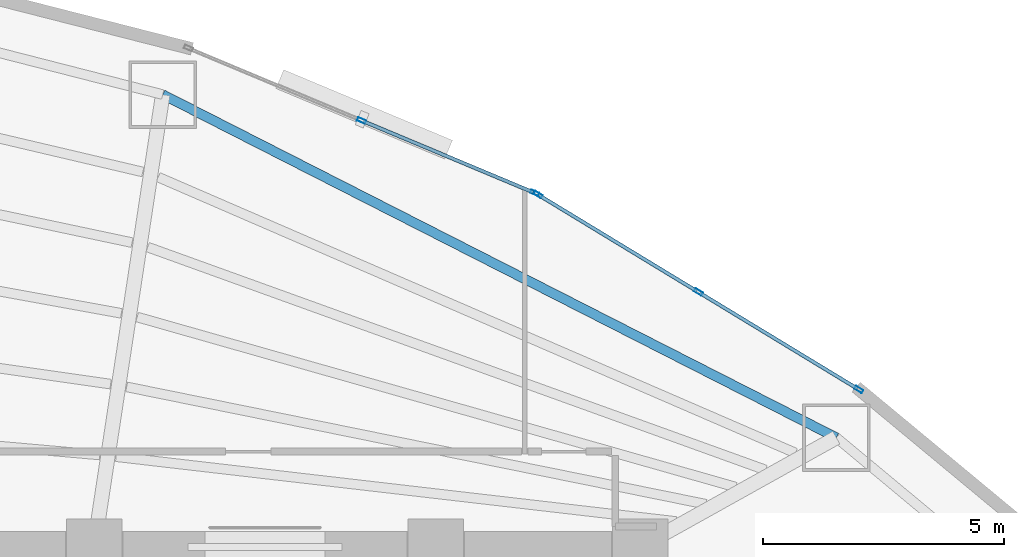
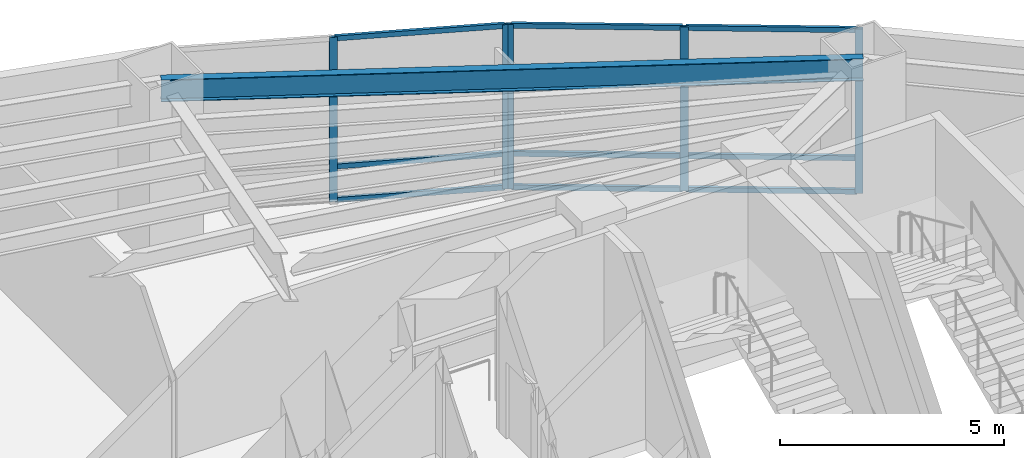
# One storey, part 10 of 18: 14 members, 1 beam, 2 elements without a shape of their own.
"""IFC4 building model written with IfcOpenShell, lengths in metres."""

import ifcopenshell
import ifcopenshell.guid

model = None  # the IFC model being written
_history = None  # IfcOwnerHistory: only IFC2X3 demands one
_inside = {}  # id of a spatial element -> (the spatial element, [elements in it])
_under = {}  # id of a project, library or spatial element -> (it, [spatial elements below it])
_declared = {}  # id of a project -> (the project, [libraries it declares])
_typed = {}  # id of a type object -> (the type object, [elements of that type])
_made_of = {}  # id of a material, layer set ... -> (it, [elements and type objects made of it])


def new_model(schema):
    """Start an empty IFC model of exactly this schema.

    Asked for "IFC4X3", IfcOpenShell would pick the latest addendum, in which some entities
    have other attributes; the version numbers below select the first issue.
    IFC2X3 requires an IfcOwnerHistory on every rooted entity: one is made here for all.
    """
    global model, _history
    if schema == "IFC4X3":
        model = ifcopenshell.file(schema_version=(4, 3, 0, 0))
    else:
        model = ifcopenshell.file(schema=schema)
    _inside.clear()
    _under.clear()
    _declared.clear()
    _typed.clear()
    _made_of.clear()
    _history = None
    if model.schema == "IFC2X3":
        org = make("IfcOrganization", Name="unknown")
        user = make(
            "IfcPersonAndOrganization",
            ThePerson=make("IfcPerson", FamilyName="unknown"),
            TheOrganization=org,
        )
        app = make(
            "IfcApplication",
            ApplicationDeveloper=org,
            Version="unknown",
            ApplicationFullName="unknown",
            ApplicationIdentifier="unknown",
        )
        _history = make(
            "IfcOwnerHistory",
            OwningUser=user,
            OwningApplication=app,
            ChangeAction="ADDED",
            CreationDate=0,
        )
    return model


def make(cls, **values):
    """One entity of the class cls with the attributes given. An attribute that is None is left unset."""
    return model.create_entity(
        cls, **{name: value for name, value in values.items() if value is not None}
    )


def rooted(cls, **values):
    """An entity with a GlobalId (a new one), such as an element, a storey or a relation."""
    return make(cls, GlobalId=ifcopenshell.guid.new(), OwnerHistory=_history, **values)


def si_unit(unit_type, name, prefix=None):
    """IfcSIUnit, for example si_unit("LENGTHUNIT", "METRE", prefix="MILLI")."""
    return make("IfcSIUnit", UnitType=unit_type, Prefix=prefix, Name=name)


def assignment(units):
    """IfcUnitAssignment: the units of a project."""
    return None if units is None else make("IfcUnitAssignment", Units=units)


def point(xyz):
    """IfcCartesianPoint."""
    return None if xyz is None else make("IfcCartesianPoint", Coordinates=xyz)


def direction(xyz):
    """IfcDirection."""
    return None if xyz is None else make("IfcDirection", DirectionRatios=xyz)


def frame(location, z_axis=None, x_axis=None):
    """IfcAxis2Placement3D, a coordinate frame: its origin and axes. An axis left out is left unset."""
    return make(
        "IfcAxis2Placement3D",
        Location=point(location),
        Axis=direction(z_axis),
        RefDirection=direction(x_axis),
    )


def frame_2d(location, x_axis=None):
    """IfcAxis2Placement2D, a coordinate frame in the plane: its origin and x axis."""
    return make(
        "IfcAxis2Placement2D", Location=point(location), RefDirection=direction(x_axis)
    )


def origin():
    """The frame at (0, 0, 0) with its axes left unset."""
    return frame((0.0, 0.0, 0.0))


def origin_2d():
    """The frame at (0, 0) in the plane with its x axis left unset."""
    return frame_2d((0.0, 0.0))


def place(relative_to, where):
    """IfcLocalPlacement: puts the frame where relative to a parent placement (None: the world)."""
    return make(
        "IfcLocalPlacement", PlacementRelTo=relative_to, RelativePlacement=where
    )


def context(
    kind, dimensions, precision=None, world=None, true_north=None, identifier=None
):
    """IfcGeometricRepresentationContext, for example the 3D "Model" context."""
    return make(
        "IfcGeometricRepresentationContext",
        ContextIdentifier=identifier,
        ContextType=kind,
        CoordinateSpaceDimension=dimensions,
        Precision=precision,
        WorldCoordinateSystem=world,
        TrueNorth=true_north,
    )


def subcontext(parent, identifier, kind, view, scale=None):
    """IfcGeometricRepresentationSubContext, for example "Body" below "Model"."""
    return make(
        "IfcGeometricRepresentationSubContext",
        ContextIdentifier=identifier,
        ContextType=kind,
        ParentContext=parent,
        TargetScale=scale,
        TargetView=view,
    )


def project(units=None, contexts=None):
    """IfcProject with its units and contexts."""
    return rooted(
        "IfcProject",
        Name="project",
        RepresentationContexts=contexts,
        UnitsInContext=assignment(units),
    )


def spatial(cls, under=None, at=None, **own):
    """A site, building, storey or space (cls), placed at a placement, below another one or the project."""
    s = rooted(cls, ObjectPlacement=at, **own)
    if under is not None:
        _under.setdefault(under.id(), (under, []))[1].append(s)
    return s


def profile(cls, at=None, kind="AREA", **sizes):
    """A parametric profile (cls). Its sizes go by their IFC names, for example OverallWidth=200.0."""
    return make(cls, ProfileType=kind, Position=at, **sizes)


def hollow_rectangle(**sizes):
    """IfcRectangleHollowProfileDef."""
    return profile("IfcRectangleHollowProfileDef", **sizes)


def i_section(**sizes):
    """IfcIShapeProfileDef."""
    return profile("IfcIShapeProfileDef", **sizes)


def extrude(swept, where, along, depth):
    """IfcExtrudedAreaSolid: the profile swept, set in the frame where, extruded along a direction by depth."""
    return make(
        "IfcExtrudedAreaSolid",
        SweptArea=swept,
        Position=where,
        ExtrudedDirection=direction(along),
        Depth=depth,
    )


def shape(context_of_items, identifier, shape_type, items):
    """IfcShapeRepresentation: the items that make up one representation, for example the "Body"."""
    return make(
        "IfcShapeRepresentation",
        ContextOfItems=context_of_items,
        RepresentationIdentifier=identifier,
        RepresentationType=shape_type,
        Items=items,
    )


def material(Name=None, Category=None):
    """IfcMaterial."""
    return make("IfcMaterial", Name=Name, Category=Category)


def layer(
    of_material, thickness, ventilated=None, Name=None, Category=None, Priority=None
):
    """IfcMaterialLayer: one layer of a wall or slab, of a material (None: an air gap)."""
    return make(
        "IfcMaterialLayer",
        Material=of_material,
        LayerThickness=thickness,
        IsVentilated=ventilated,
        Name=Name,
        Category=Category,
        Priority=Priority,
    )


def layer_set(layers, Name=None):
    """IfcMaterialLayerSet."""
    return make("IfcMaterialLayerSet", MaterialLayers=layers, LayerSetName=Name)


def material_profile(
    of_material, cross_section, Name=None, Category=None, Priority=None
):
    """IfcMaterialProfile: a cross section and its material."""
    return make(
        "IfcMaterialProfile",
        Name=Name,
        Material=of_material,
        Profile=cross_section,
        Priority=Priority,
        Category=Category,
    )


def profile_set(profiles, Name=None, composite=None):
    """IfcMaterialProfileSet."""
    return make(
        "IfcMaterialProfileSet",
        Name=Name,
        MaterialProfiles=profiles,
        CompositeProfile=composite,
    )


def made_of(thing, what):
    """Note that an element or type object is made of a material, layer set ...; save() writes the relation."""
    if what is not None:
        _made_of.setdefault(what.id(), (what, []))[1].append(thing)
    return thing


def type_object(cls, material=None, **own):
    """A type object (cls), such as IfcWallType, which elements share."""
    return made_of(rooted(cls, **own), material)


def element(
    cls,
    number,
    at=None,
    inside=None,
    cuts=None,
    type_object=None,
    material=None,
    context=None,
    identifier="Body",
    shape_type=None,
    held_by="IfcProductDefinitionShape",
    body=None,
    shapes=None,
    **own,
):
    """One element of the class cls, such as IfcWall. Its Tag is "e" and its number.

    at: its placement. inside: the storey or other place that contains it. cuts: it is an
    opening in that element (IfcRelVoidsElement). A single representation is given by context,
    identifier, shape_type and body (its items); several are given by shapes. held_by: the class
    of the entity that holds the representations. save() writes the other relations.
    """
    e = rooted(cls, Tag="e%d" % number, ObjectPlacement=at, **own)
    if body is not None:
        shapes = [shape(context, identifier, shape_type, body)]
    if shapes is not None:
        e.Representation = make(held_by, Representations=shapes)
    if inside is not None:
        _inside.setdefault(inside.id(), (inside, []))[1].append(e)
    if cuts is not None:
        rooted(
            "IfcRelVoidsElement", RelatingBuildingElement=cuts, RelatedOpeningElement=e
        )
    if type_object is not None:
        _typed.setdefault(type_object.id(), (type_object, []))[1].append(e)
    return made_of(e, material)


def aggregate(whole, parts):
    """IfcRelAggregates: a whole, such as a stair, and the parts it consists of."""
    return rooted("IfcRelAggregates", RelatingObject=whole, RelatedObjects=parts)


def save(model, path):
    """Write the relations noted so far, then the file.

    IfcRelAggregates (storeys below a building ...), IfcRelContainedInSpatialStructure (elements
    in a storey), IfcRelDefinesByType, IfcRelAssociatesMaterial and IfcRelDeclares: one each for
    every whole, place, type object, material and project.
    """
    for whole, parts in _under.values():
        aggregate(whole, parts)
    for where, things in _inside.values():
        rooted(
            "IfcRelContainedInSpatialStructure",
            RelatedElements=things,
            RelatingStructure=where,
        )
    for kind, things in _typed.values():
        rooted("IfcRelDefinesByType", RelatedObjects=things, RelatingType=kind)
    for what, things in _made_of.values():
        rooted("IfcRelAssociatesMaterial", RelatedObjects=things, RelatingMaterial=what)
    for by, libraries in _declared.values():
        rooted("IfcRelDeclares", RelatingContext=by, RelatedDefinitions=libraries)
    model.write(path)


model = new_model("IFC4")

# Units and contexts
model_context = context("Model", 3, precision=1e-05, world=origin(), true_north=direction((0.0, 1.0)))
body_context = subcontext(model_context, "Body", "Model", "MODEL_VIEW")
ifc_project = project(units=[si_unit("LENGTHUNIT", "METRE"), si_unit("AREAUNIT", "SQUARE_METRE"), si_unit("VOLUMEUNIT", "CUBIC_METRE"), si_unit("PLANEANGLEUNIT", "RADIAN"), si_unit("MASSUNIT", "GRAM", prefix="KILO")], contexts=[model_context])

# Site, building, storey
site_placement = place(None, origin())
site = spatial("IfcSite", under=ifc_project, at=site_placement, CompositionType="ELEMENT")
building_placement = place(site_placement, origin())
building = spatial("IfcBuilding", under=site, at=building_placement, Name="Menara Vayukalpa", CompositionType="ELEMENT")
storey_placement = place(building_placement, frame((0.0, 0.0, 18.0)))
storey = spatial("IfcBuildingStorey", under=building, at=storey_placement, Name="L03", CompositionType="ELEMENT", Elevation=18.0)

# Beam
ifc_material_1 = material(Name="Steel S355", Category="steel")
ifc_material_profile_1 = material_profile(ifc_material_1, i_section(OverallWidth=0.199951171875, OverallDepth=0.60009765625, WebThickness=0.010986328125, FlangeThickness=0.01708984375, at=origin_2d()), Name="WF 600x200x11x17")
ifc_profile_set_1 = profile_set([ifc_material_profile_1], Name="Steel S355")
beam_type = type_object("IfcBeamType", Name="BM-SP1", PredefinedType="SPANDREL", material=ifc_profile_set_1)
beam_placement = place(storey_placement, frame((37.47412109375, 29.07080078125, 4.179931640625), z_axis=(-0.891101872915, 0.453803318726, 0.0), x_axis=(-0.453803318726, -0.891101872915, 0.0)))
element("IfcBeam", 1, at=beam_placement, inside=storey, type_object=beam_type, Name="L03 Perimeter Spandrel Beam SP02", PredefinedType="SPANDREL", context=body_context, shape_type="SweptSolid", body=[
    extrude(i_section(OverallWidth=0.199951171875, OverallDepth=0.60009765625, WebThickness=0.010986328125, FlangeThickness=0.01708984375, at=origin_2d()), origin(), (0.0, 0.0, 1.0), 15.709228515625),
])

# Curtain wall, members
ifc_material_2 = material(Name="Anodised Terracotta Aluminium Alloy 6063-T6", Category="masonry")
ifc_layer = layer(ifc_material_2, 0.179931640625)
ifc_layer_set = layer_set([ifc_layer], Name="Anodised Terracotta Aluminium Alloy 6063-T6")
curtain_wall_type = type_object("IfcCurtainWallType", Name="CW-CW1", PredefinedType="USERDEFINED", material=ifc_layer_set)
curtain_wall_1_placement = place(storey_placement, origin())
curtain_wall_1 = element("IfcCurtainWall", 2, at=curtain_wall_1_placement, inside=storey, type_object=curtain_wall_type, Name="L03 Podium Unitised Ribbon Curtain Wall CW1 04", ObjectType="UNITISED", PredefinedType="USERDEFINED")
ifc_material_3 = material(Name="Anodised Terracotta Aluminium Alloy 6063-T6", Category="masonry")
ifc_material_profile_2 = material_profile(ifc_material_3, hollow_rectangle(XDim=0.074951171875, YDim=0.179931640625, WallThickness=0.00390625, at=origin_2d()), Name="ALU 75x180x4")
ifc_profile_set_2 = profile_set([ifc_material_profile_2], Name="Anodised Terracotta Aluminium Alloy 6063-T6")
member_type_1 = type_object("IfcMemberType", Name="CWM-CW1", PredefinedType="MULLION", material=ifc_profile_set_2)
member_1_placement = place(storey_placement, frame((37.941162109375, 30.070556640625, 0.0), z_axis=(0.0, 0.0, 1.0), x_axis=(-0.519179879231, -0.854664994604, 0.0)))
member_1 = element("IfcMember", 3, at=member_1_placement, type_object=member_type_1, Name="CW1 mullion 1", PredefinedType="MULLION", context=body_context, shape_type="SweptSolid", body=[
    extrude(hollow_rectangle(XDim=0.074951171875, YDim=0.179931640625, WallThickness=0.00390625, at=origin_2d()), origin(), (0.0, 0.0, 1.0), 4.47998046875),
])
member_2_placement = place(storey_placement, frame((34.607177734375, 32.095703125, 0.0), z_axis=(0.0, 0.0, 1.0), x_axis=(-0.519179879231, -0.854664994604, 0.0)))
member_2 = element("IfcMember", 4, at=member_2_placement, type_object=member_type_1, Name="CW1 mullion 2", PredefinedType="MULLION", context=body_context, shape_type="SweptSolid", body=[
    extrude(hollow_rectangle(XDim=0.074951171875, YDim=0.179931640625, WallThickness=0.00390625, at=origin_2d()), origin(), (0.0, 0.0, 1.0), 4.47998046875),
])
member_3_placement = place(storey_placement, frame((31.2734375, 34.12109375, 0.0), z_axis=(0.0, 0.0, 1.0), x_axis=(-0.519179879231, -0.854664994604, 0.0)))
member_3 = element("IfcMember", 5, at=member_3_placement, type_object=member_type_1, Name="CW1 mullion 3", PredefinedType="MULLION", context=body_context, shape_type="SweptSolid", body=[
    extrude(hollow_rectangle(XDim=0.074951171875, YDim=0.179931640625, WallThickness=0.00390625, at=origin_2d()), origin(), (0.0, 0.0, 1.0), 4.47998046875),
])

curtain_wall_2_placement = place(storey_placement, origin())
curtain_wall_2 = element("IfcCurtainWall", 6, at=curtain_wall_2_placement, inside=storey, type_object=curtain_wall_type, Name="L03 Podium Unitised Ribbon Curtain Wall CW1 05", ObjectType="UNITISED", PredefinedType="USERDEFINED")
member_4_placement = place(storey_placement, frame((31.206787109375, 34.155029296875, 0.0), z_axis=(0.0, 0.0, 1.0), x_axis=(-0.385890613077, -0.922544543499, 0.0)))
member_4 = element("IfcMember", 7, at=member_4_placement, type_object=member_type_1, Name="CW1 mullion 1", PredefinedType="MULLION", context=body_context, shape_type="SweptSolid", body=[
    extrude(hollow_rectangle(XDim=0.074951171875, YDim=0.179931640625, WallThickness=0.00390625, at=origin_2d()), origin(), (0.0, 0.0, 1.0), 4.47998046875),
])
member_5_placement = place(storey_placement, frame((27.608154296875, 35.66015625, 0.0), z_axis=(0.0, 0.0, 1.0), x_axis=(-0.385890613077, -0.922544543499, 0.0)))
member_5 = element("IfcMember", 8, at=member_5_placement, type_object=member_type_1, Name="CW1 mullion 2", PredefinedType="MULLION", context=body_context, shape_type="SweptSolid", body=[
    extrude(hollow_rectangle(XDim=0.074951171875, YDim=0.179931640625, WallThickness=0.00390625, at=origin_2d()), origin(), (0.0, 0.0, 1.0), 4.47998046875),
])

# Member
ifc_material_4 = material(Name="Anodised Terracotta Aluminium Alloy 6063-T6", Category="masonry")
ifc_material_profile_3 = material_profile(ifc_material_4, hollow_rectangle(XDim=0.074951171875, YDim=0.135009765625, WallThickness=0.00390625, at=origin_2d()), Name="ALU 75x135x4")
ifc_profile_set_3 = profile_set([ifc_material_profile_3], Name="Anodised Terracotta Aluminium Alloy 6063-T6")
member_type_2 = type_object("IfcMemberType", Name="CWT-CW1", PredefinedType="USERDEFINED", material=ifc_profile_set_3)
member_6_placement = place(storey_placement, frame((37.9091796875, 30.090087890625, 0.03759765625), z_axis=(-0.85465908819, 0.519189602144, 0.0), x_axis=(-0.519189602144, -0.85465908819, 0.0)))
member_6 = element("IfcMember", 9, at=member_6_placement, type_object=member_type_2, Name="CW1 transom 1.1", ObjectType="TRANSOM", PredefinedType="USERDEFINED", context=body_context, shape_type="SweptSolid", body=[
    extrude(hollow_rectangle(XDim=0.074951171875, YDim=0.135009765625, WallThickness=0.00390625, at=origin_2d()), origin(), (0.0, 0.0, 1.0), 3.825927734375),
])

member_7_placement = place(storey_placement, frame((37.9091796875, 30.090087890625, 0.949951171875), z_axis=(-0.85465908819, 0.519189602144, 0.0), x_axis=(-0.519189602144, -0.85465908819, 0.0)))
member_7 = element("IfcMember", 10, at=member_7_placement, type_object=member_type_2, Name="CW1 transom 1.2", ObjectType="TRANSOM", PredefinedType="USERDEFINED", context=body_context, shape_type="SweptSolid", body=[
    extrude(hollow_rectangle(XDim=0.074951171875, YDim=0.135009765625, WallThickness=0.00390625, at=origin_2d()), origin(), (0.0, 0.0, 1.0), 3.825927734375),
])

member_8_placement = place(storey_placement, frame((37.9091796875, 30.090087890625, 4.4423828125), z_axis=(-0.85465908819, 0.519189602144, 0.0), x_axis=(-0.519189602144, -0.85465908819, 0.0)))
member_8 = element("IfcMember", 11, at=member_8_placement, type_object=member_type_2, Name="CW1 transom 1.3", ObjectType="TRANSOM", PredefinedType="USERDEFINED", context=body_context, shape_type="SweptSolid", body=[
    extrude(hollow_rectangle(XDim=0.074951171875, YDim=0.135009765625, WallThickness=0.00390625, at=origin_2d()), origin(), (0.0, 0.0, 1.0), 3.825927734375),
])

member_9_placement = place(storey_placement, frame((34.5751953125, 32.115234375, 0.03759765625), z_axis=(-0.85465908819, 0.519189602144, 0.0), x_axis=(-0.519189602144, -0.85465908819, 0.0)))
member_9 = element("IfcMember", 12, at=member_9_placement, type_object=member_type_2, Name="CW1 transom 2.1", ObjectType="TRANSOM", PredefinedType="USERDEFINED", context=body_context, shape_type="SweptSolid", body=[
    extrude(hollow_rectangle(XDim=0.074951171875, YDim=0.135009765625, WallThickness=0.00390625, at=origin_2d()), origin(), (0.0, 0.0, 1.0), 3.825927734375),
])

member_10_placement = place(storey_placement, frame((34.5751953125, 32.115234375, 0.949951171875), z_axis=(-0.85465908819, 0.519189602144, 0.0), x_axis=(-0.519189602144, -0.85465908819, 0.0)))
member_10 = element("IfcMember", 13, at=member_10_placement, type_object=member_type_2, Name="CW1 transom 2.2", ObjectType="TRANSOM", PredefinedType="USERDEFINED", context=body_context, shape_type="SweptSolid", body=[
    extrude(hollow_rectangle(XDim=0.074951171875, YDim=0.135009765625, WallThickness=0.00390625, at=origin_2d()), origin(), (0.0, 0.0, 1.0), 3.825927734375),
])

member_11_placement = place(storey_placement, frame((34.5751953125, 32.115234375, 4.4423828125), z_axis=(-0.85465908819, 0.519189602144, 0.0), x_axis=(-0.519189602144, -0.85465908819, 0.0)))
member_11 = element("IfcMember", 14, at=member_11_placement, type_object=member_type_2, Name="CW1 transom 2.3", ObjectType="TRANSOM", PredefinedType="USERDEFINED", context=body_context, shape_type="SweptSolid", body=[
    extrude(hollow_rectangle(XDim=0.074951171875, YDim=0.135009765625, WallThickness=0.00390625, at=origin_2d()), origin(), (0.0, 0.0, 1.0), 3.825927734375),
])

aggregate(curtain_wall_1, [member_1, member_2, member_3, member_6, member_7, member_8, member_9, member_10, member_11])

member_12_placement = place(storey_placement, frame((31.172119140625, 34.16943359375, 0.03759765625), z_axis=(-0.922549314237, 0.385879207525, 0.0), x_axis=(-0.385879207525, -0.922549314237, 0.0)))
member_12 = element("IfcMember", 15, at=member_12_placement, type_object=member_type_2, Name="CW1 transom 1.1", ObjectType="TRANSOM", PredefinedType="USERDEFINED", context=body_context, shape_type="SweptSolid", body=[
    extrude(hollow_rectangle(XDim=0.074951171875, YDim=0.135009765625, WallThickness=0.00390625, at=origin_2d()), origin(), (0.0, 0.0, 1.0), 3.825927734375),
])

member_13_placement = place(storey_placement, frame((31.172119140625, 34.16943359375, 0.949951171875), z_axis=(-0.922549314237, 0.385879207525, 0.0), x_axis=(-0.385879207525, -0.922549314237, 0.0)))
member_13 = element("IfcMember", 16, at=member_13_placement, type_object=member_type_2, Name="CW1 transom 1.2", ObjectType="TRANSOM", PredefinedType="USERDEFINED", context=body_context, shape_type="SweptSolid", body=[
    extrude(hollow_rectangle(XDim=0.074951171875, YDim=0.135009765625, WallThickness=0.00390625, at=origin_2d()), origin(), (0.0, 0.0, 1.0), 3.825927734375),
])

member_14_placement = place(storey_placement, frame((31.172119140625, 34.16943359375, 4.4423828125), z_axis=(-0.922549314237, 0.385879207525, 0.0), x_axis=(-0.385879207525, -0.922549314237, 0.0)))
member_14 = element("IfcMember", 17, at=member_14_placement, type_object=member_type_2, Name="CW1 transom 1.3", ObjectType="TRANSOM", PredefinedType="USERDEFINED", context=body_context, shape_type="SweptSolid", body=[
    extrude(hollow_rectangle(XDim=0.074951171875, YDim=0.135009765625, WallThickness=0.00390625, at=origin_2d()), origin(), (0.0, 0.0, 1.0), 3.825927734375),
])

aggregate(curtain_wall_2, [member_4, member_5, member_12, member_13, member_14])

save(model, "model.ifc")
